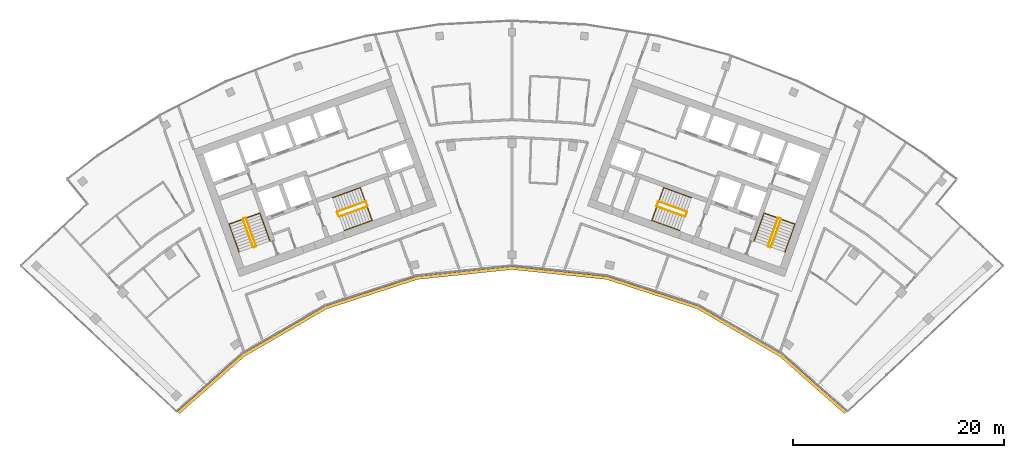
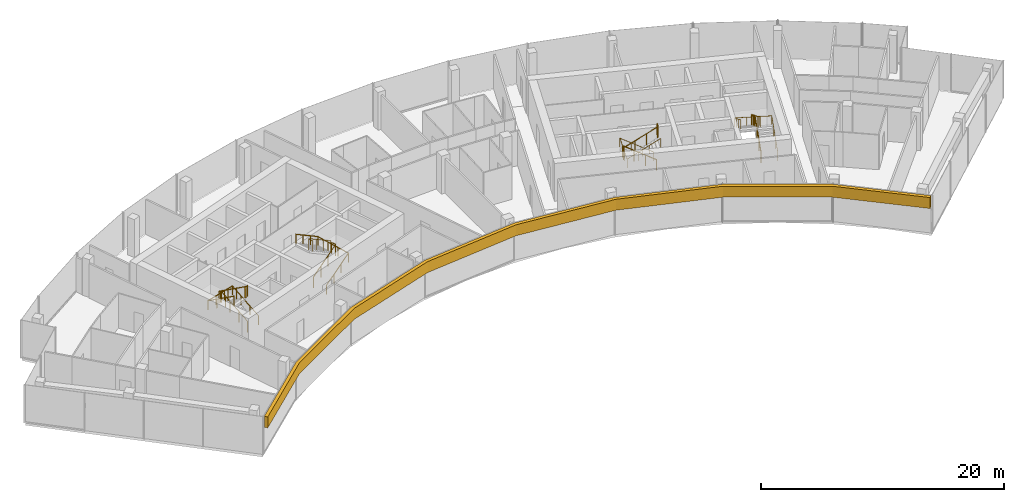
# One storey, part 18 of 18: 12 railings, 1 covering.
"""IFC4 building model written with IfcOpenShell, lengths in metres."""

from ifc_helpers import new_model, si_unit, direction, frame, origin, origin_2d, place, context, subcontext, project, spatial, polyline, circle, outline, extrude, material, layer, layer_set, type_object, element, save


model = new_model("IFC4")

# Units and contexts
model_context = context("Model", 3, precision=1e-05, world=origin(), true_north=direction((0.0, 1.0)))
body_context = subcontext(model_context, "Body", "Model", "MODEL_VIEW")
ifc_project = project(units=[si_unit("LENGTHUNIT", "METRE"), si_unit("AREAUNIT", "SQUARE_METRE"), si_unit("VOLUMEUNIT", "CUBIC_METRE"), si_unit("PLANEANGLEUNIT", "RADIAN"), si_unit("MASSUNIT", "GRAM", prefix="KILO")], contexts=[model_context])

# Site, building, storey
site_placement = place(None, origin())
site = spatial("IfcSite", under=ifc_project, at=site_placement, CompositionType="ELEMENT")
building_placement = place(site_placement, origin())
building = spatial("IfcBuilding", under=site, at=building_placement, Name="Stone Belt Terrace Tower", CompositionType="ELEMENT")
storey_placement = place(building_placement, frame((0.0, 0.0, 273.199951171875)))
storey = spatial("IfcBuildingStorey", under=building, at=storey_placement, Name="L66", CompositionType="ELEMENT", Elevation=273.199951171875)

# Railings
ifc_material_1 = material(Name="Structural steel C345", Category="steel")
railing_type_1 = type_object("IfcRailingType", Name="Stair guard 1100", PredefinedType="GUARDRAIL", material=ifc_material_1)
railing_1_placement = place(storey_placement, frame((-24.2119140625, 45.276123046875, 0.1728515625)))
element("IfcRailing", 1, at=railing_1_placement, inside=storey, type_object=railing_type_1, Name="L66 ST1A stair guard 1", PredefinedType="GUARDRAIL", context=body_context, shape_type="SweptSolid", body=[
    extrude(circle(Radius=0.02392578125, at=origin_2d()), frame((0.0, 0.0, 1.076171875), z_axis=(-0.288228637646, 0.800791768495, 0.525030280985), x_axis=(-0.940908529223, -0.338660803216, 0.0)), (0.0, 0.0, 1.0), 3.289794921875),
    extrude(circle(Radius=0.02392578125, at=origin_2d()), frame((-0.9482421875, 2.634521484375, 2.80322265625), z_axis=(-0.905209821074, 0.424964916, 0.0), x_axis=(-0.424964916, -0.905209821074, 0.0)), (0.0, 0.0, 1.0), 0.070556640625),
    extrude(circle(Radius=0.02392578125, at=origin_2d()), frame((-1.01220703125, 2.66455078125, 2.80322265625), z_axis=(-0.941105063269, -0.338114270461, 0.0), x_axis=(0.338114270461, -0.941105063269, 0.0)), (0.0, 0.0, 1.0), 0.199951171875),
    extrude(circle(Radius=0.02099609375, at=origin_2d()), origin(), (0.0, 0.0, 1.0), 1.052001953125),
    extrude(circle(Radius=0.02099609375, at=origin_2d()), frame((-0.316162109375, 0.878173828125, 0.57568359375)), (0.0, 0.0, 1.0), 1.052001953125),
    extrude(circle(Radius=0.02099609375, at=origin_2d()), frame((-0.632080078125, 1.75634765625, 1.151611328125)), (0.0, 0.0, 1.0), 1.052001953125),
    extrude(circle(Radius=0.02099609375, at=origin_2d()), frame((-0.9482421875, 2.634521484375, 1.727294921875)), (0.0, 0.0, 1.0), 1.052001953125),
    extrude(circle(Radius=0.02099609375, at=origin_2d()), frame((-1.01220703125, 2.66455078125, 1.727294921875)), (0.0, 0.0, 1.0), 1.052001953125),
    extrude(circle(Radius=0.02099609375, at=origin_2d()), frame((-1.200439453125, 2.596923828125, 1.727294921875)), (0.0, 0.0, 1.0), 1.052001953125),
])
railing_2_placement = place(storey_placement, frame((-25.4423828125, 47.80908203125, 2.07275390625)))
element("IfcRailing", 2, at=railing_2_placement, inside=storey, type_object=railing_type_1, Name="L66 ST1A stair guard 2", PredefinedType="GUARDRAIL", context=body_context, shape_type="SweptSolid", body=[
    extrude(circle(Radius=0.02392578125, at=origin_2d()), frame((0.0, 0.0, 1.076171875), z_axis=(0.288228637646, -0.800791768495, 0.525030280985), x_axis=(0.940908529223, 0.338660803216, 0.0)), (0.0, 0.0, 1.0), 3.289794921875),
    extrude(circle(Radius=0.02392578125, at=origin_2d()), frame((0.9482421875, -2.634521484375, 2.80322265625), z_axis=(0.903878284585, -0.427789722475, 0.0), x_axis=(0.427789722475, 0.903878284585, 0.0)), (0.0, 0.0, 1.0), 0.07080078125),
    extrude(circle(Radius=0.02392578125, at=origin_2d()), frame((1.01220703125, -2.664794921875, 2.80322265625), z_axis=(0.940575576748, 0.339584429008, 0.0), x_axis=(-0.339584429008, 0.940575576748, 0.0)), (0.0, 0.0, 1.0), 0.199951171875),
    extrude(circle(Radius=0.02099609375, at=origin_2d()), origin(), (0.0, 0.0, 1.0), 1.052001953125),
    extrude(circle(Radius=0.02099609375, at=origin_2d()), frame((0.316162109375, -0.878173828125, 0.57568359375)), (0.0, 0.0, 1.0), 1.052001953125),
    extrude(circle(Radius=0.02099609375, at=origin_2d()), frame((0.632080078125, -1.75634765625, 1.151611328125)), (0.0, 0.0, 1.0), 1.052001953125),
    extrude(circle(Radius=0.02099609375, at=origin_2d()), frame((0.9482421875, -2.634521484375, 1.727294921875)), (0.0, 0.0, 1.0), 1.052001953125),
    extrude(circle(Radius=0.02099609375, at=origin_2d()), frame((1.01220703125, -2.664794921875, 1.727294921875)), (0.0, 0.0, 1.0), 1.052001953125),
    extrude(circle(Radius=0.02099609375, at=origin_2d()), frame((1.2001953125, -2.596923828125, 1.727294921875)), (0.0, 0.0, 1.0), 1.052001953125),
])
railing_3_placement = place(storey_placement, frame((-16.33837890625, 48.056640625, 0.1728515625)))
element("IfcRailing", 3, at=railing_3_placement, inside=storey, type_object=railing_type_1, Name="L66 ST2A stair guard 1", PredefinedType="GUARDRAIL", context=body_context, shape_type="SweptSolid", body=[
    extrude(circle(Radius=0.02392578125, at=origin_2d()), frame((0.0, 0.0, 1.076171875), z_axis=(0.800808895155, 0.288160591223, 0.52504150989), x_axis=(-0.338583606334, 0.940936311087, 0.0)), (0.0, 0.0, 1.0), 3.289794921875),
    extrude(circle(Radius=0.02392578125, at=origin_2d()), frame((2.634521484375, 0.947998046875, 2.80322265625), z_axis=(0.427789722475, 0.903878284585, 0.0), x_axis=(-0.903878284585, 0.427789722475, 0.0)), (0.0, 0.0, 1.0), 0.07080078125),
    extrude(circle(Radius=0.02392578125, at=origin_2d()), frame((2.664794921875, 1.011962890625, 2.80322265625), z_axis=(-0.338654645739, 0.940910745459, 0.0), x_axis=(-0.940910745459, -0.338654645739, 0.0)), (0.0, 0.0, 1.0), 0.400146484375),
    extrude(circle(Radius=0.02099609375, at=origin_2d()), origin(), (0.0, 0.0, 1.0), 1.052001953125),
    extrude(circle(Radius=0.02099609375, at=origin_2d()), frame((0.878173828125, 0.31591796875, 0.57568359375)), (0.0, 0.0, 1.0), 1.052001953125),
    extrude(circle(Radius=0.02099609375, at=origin_2d()), frame((1.75634765625, 0.632080078125, 1.151611328125)), (0.0, 0.0, 1.0), 1.052001953125),
    extrude(circle(Radius=0.02099609375, at=origin_2d()), frame((2.634521484375, 0.947998046875, 1.727294921875)), (0.0, 0.0, 1.0), 1.052001953125),
    extrude(circle(Radius=0.02099609375, at=origin_2d()), frame((2.664794921875, 1.011962890625, 1.727294921875)), (0.0, 0.0, 1.0), 1.052001953125),
    extrude(circle(Radius=0.02099609375, at=origin_2d()), frame((2.529296875, 1.388427734375, 1.727294921875)), (0.0, 0.0, 1.0), 1.052001953125),
])
railing_4_placement = place(storey_placement, frame((-13.873046875, 49.47509765625, 2.07275390625)))
element("IfcRailing", 4, at=railing_4_placement, inside=storey, type_object=railing_type_1, Name="L66 ST2A stair guard 2", PredefinedType="GUARDRAIL", context=body_context, shape_type="SweptSolid", body=[
    extrude(circle(Radius=0.02392578125, at=origin_2d()), frame((0.0, 0.0, 1.076171875), z_axis=(-0.800808895155, -0.288160591223, 0.52504150989), x_axis=(0.338583606334, -0.940936311087, 0.0)), (0.0, 0.0, 1.0), 3.289794921875),
    extrude(circle(Radius=0.02392578125, at=origin_2d()), frame((-2.634521484375, -0.947998046875, 2.80322265625), z_axis=(-0.427789722475, -0.903878284585, 0.0), x_axis=(0.903878284585, -0.427789722475, 0.0)), (0.0, 0.0, 1.0), 0.07080078125),
    extrude(circle(Radius=0.02392578125, at=origin_2d()), frame((-2.664794921875, -1.011962890625, 2.80322265625), z_axis=(0.338654645739, -0.940910745459, 0.0), x_axis=(0.940910745459, 0.338654645739, 0.0)), (0.0, 0.0, 1.0), 0.400146484375),
    extrude(circle(Radius=0.02099609375, at=origin_2d()), origin(), (0.0, 0.0, 1.0), 1.052001953125),
    extrude(circle(Radius=0.02099609375, at=origin_2d()), frame((-0.878173828125, -0.31591796875, 0.57568359375)), (0.0, 0.0, 1.0), 1.052001953125),
    extrude(circle(Radius=0.02099609375, at=origin_2d()), frame((-1.75634765625, -0.632080078125, 1.151611328125)), (0.0, 0.0, 1.0), 1.052001953125),
    extrude(circle(Radius=0.02099609375, at=origin_2d()), frame((-2.634521484375, -0.947998046875, 1.727294921875)), (0.0, 0.0, 1.0), 1.052001953125),
    extrude(circle(Radius=0.02099609375, at=origin_2d()), frame((-2.664794921875, -1.011962890625, 1.727294921875)), (0.0, 0.0, 1.0), 1.052001953125),
    extrude(circle(Radius=0.02099609375, at=origin_2d()), frame((-2.529296875, -1.388427734375, 1.727294921875)), (0.0, 0.0, 1.0), 1.052001953125),
])
railing_5_placement = place(storey_placement, frame((24.494140625, 45.174560546875, 0.1728515625)))
element("IfcRailing", 5, at=railing_5_placement, inside=storey, type_object=railing_type_1, Name="L66 ST1B stair guard 1", PredefinedType="GUARDRAIL", context=body_context, shape_type="SweptSolid", body=[
    extrude(circle(Radius=0.02392578125, at=origin_2d()), frame((0.0, 0.0, 1.076171875), z_axis=(0.288228637646, 0.800791768495, 0.525030280985), x_axis=(-0.940908529223, 0.338660803216, 0.0)), (0.0, 0.0, 1.0), 3.289794921875),
    extrude(circle(Radius=0.02392578125, at=origin_2d()), frame((0.9482421875, 2.634521484375, 2.80322265625), z_axis=(-0.424964916, 0.905209821074, 0.0), x_axis=(-0.905209821074, -0.424964916, 0.0)), (0.0, 0.0, 1.0), 0.070556640625),
    extrude(circle(Radius=0.02392578125, at=origin_2d()), frame((0.918212890625, 2.698486328125, 2.80322265625), z_axis=(-0.941105063269, 0.338114270461, 0.0), x_axis=(-0.338114270461, -0.941105063269, 0.0)), (0.0, 0.0, 1.0), 0.199951171875),
    extrude(circle(Radius=0.02099609375, at=origin_2d()), origin(), (0.0, 0.0, 1.0), 1.052001953125),
    extrude(circle(Radius=0.02099609375, at=origin_2d()), frame((0.316162109375, 0.878173828125, 0.57568359375)), (0.0, 0.0, 1.0), 1.052001953125),
    extrude(circle(Radius=0.02099609375, at=origin_2d()), frame((0.632080078125, 1.75634765625, 1.151611328125)), (0.0, 0.0, 1.0), 1.052001953125),
    extrude(circle(Radius=0.02099609375, at=origin_2d()), frame((0.9482421875, 2.634521484375, 1.727294921875)), (0.0, 0.0, 1.0), 1.052001953125),
    extrude(circle(Radius=0.02099609375, at=origin_2d()), frame((0.918212890625, 2.698486328125, 1.727294921875)), (0.0, 0.0, 1.0), 1.052001953125),
    extrude(circle(Radius=0.02099609375, at=origin_2d()), frame((0.72998046875, 2.76611328125, 1.727294921875)), (0.0, 0.0, 1.0), 1.052001953125),
])
railing_6_placement = place(storey_placement, frame((25.16015625, 47.91064453125, 2.07275390625)))
element("IfcRailing", 6, at=railing_6_placement, inside=storey, type_object=railing_type_1, Name="L66 ST1B stair guard 2", PredefinedType="GUARDRAIL", context=body_context, shape_type="SweptSolid", body=[
    extrude(circle(Radius=0.02392578125, at=origin_2d()), frame((0.0, 0.0, 1.076171875), z_axis=(-0.288228637646, -0.800791768495, 0.525030280985), x_axis=(0.940908529223, -0.338660803216, 0.0)), (0.0, 0.0, 1.0), 3.289794921875),
    extrude(circle(Radius=0.02392578125, at=origin_2d()), frame((-0.9482421875, -2.634521484375, 2.80322265625), z_axis=(0.427789722475, -0.903878284585, 0.0), x_axis=(0.903878284585, 0.427789722475, 0.0)), (0.0, 0.0, 1.0), 0.07080078125),
    extrude(circle(Radius=0.02392578125, at=origin_2d()), frame((-0.91796875, -2.698486328125, 2.80322265625), z_axis=(0.940575576748, -0.339584429008, 0.0), x_axis=(0.339584429008, 0.940575576748, 0.0)), (0.0, 0.0, 1.0), 0.199951171875),
    extrude(circle(Radius=0.02099609375, at=origin_2d()), origin(), (0.0, 0.0, 1.0), 1.052001953125),
    extrude(circle(Radius=0.02099609375, at=origin_2d()), frame((-0.316162109375, -0.878173828125, 0.57568359375)), (0.0, 0.0, 1.0), 1.052001953125),
    extrude(circle(Radius=0.02099609375, at=origin_2d()), frame((-0.632080078125, -1.75634765625, 1.151611328125)), (0.0, 0.0, 1.0), 1.052001953125),
    extrude(circle(Radius=0.02099609375, at=origin_2d()), frame((-0.9482421875, -2.634521484375, 1.727294921875)), (0.0, 0.0, 1.0), 1.052001953125),
    extrude(circle(Radius=0.02099609375, at=origin_2d()), frame((-0.91796875, -2.698486328125, 1.727294921875)), (0.0, 0.0, 1.0), 1.052001953125),
    extrude(circle(Radius=0.02099609375, at=origin_2d()), frame((-0.72998046875, -2.766357421875, 1.727294921875)), (0.0, 0.0, 1.0), 1.052001953125),
])
railing_7_placement = place(storey_placement, frame((16.507568359375, 48.527099609375, 0.1728515625)))
element("IfcRailing", 7, at=railing_7_placement, inside=storey, type_object=railing_type_1, Name="L66 ST2B stair guard 1", PredefinedType="GUARDRAIL", context=body_context, shape_type="SweptSolid", body=[
    extrude(circle(Radius=0.02392578125, at=origin_2d()), frame((0.0, 0.0, 1.076171875), z_axis=(-0.800808895155, 0.288160591223, 0.52504150989), x_axis=(-0.338583606334, -0.940936311087, 0.0)), (0.0, 0.0, 1.0), 3.289794921875),
    extrude(circle(Radius=0.02392578125, at=origin_2d()), frame((-2.634521484375, 0.947998046875, 2.80322265625), z_axis=(-0.905209821074, -0.424964916, 0.0), x_axis=(0.424964916, -0.905209821074, 0.0)), (0.0, 0.0, 1.0), 0.070556640625),
    extrude(circle(Radius=0.02392578125, at=origin_2d()), frame((-2.698486328125, 0.91796875, 2.80322265625), z_axis=(-0.338654645739, -0.940910745459, 0.0), x_axis=(0.940910745459, -0.338654645739, 0.0)), (0.0, 0.0, 1.0), 0.400146484375),
    extrude(circle(Radius=0.02099609375, at=origin_2d()), origin(), (0.0, 0.0, 1.0), 1.052001953125),
    extrude(circle(Radius=0.02099609375, at=origin_2d()), frame((-0.878173828125, 0.31591796875, 0.57568359375)), (0.0, 0.0, 1.0), 1.052001953125),
    extrude(circle(Radius=0.02099609375, at=origin_2d()), frame((-1.75634765625, 0.632080078125, 1.151611328125)), (0.0, 0.0, 1.0), 1.052001953125),
    extrude(circle(Radius=0.02099609375, at=origin_2d()), frame((-2.634521484375, 0.947998046875, 1.727294921875)), (0.0, 0.0, 1.0), 1.052001953125),
    extrude(circle(Radius=0.02099609375, at=origin_2d()), frame((-2.698486328125, 0.91796875, 1.727294921875)), (0.0, 0.0, 1.0), 1.052001953125),
    extrude(circle(Radius=0.02099609375, at=origin_2d()), frame((-2.833984375, 0.54150390625, 1.727294921875)), (0.0, 0.0, 1.0), 1.052001953125),
])
railing_8_placement = place(storey_placement, frame((13.703857421875, 49.004638671875, 2.07275390625)))
element("IfcRailing", 8, at=railing_8_placement, inside=storey, type_object=railing_type_1, Name="L66 ST2B stair guard 2", PredefinedType="GUARDRAIL", context=body_context, shape_type="SweptSolid", body=[
    extrude(circle(Radius=0.02392578125, at=origin_2d()), frame((0.0, 0.0, 1.076171875), z_axis=(0.800808895155, -0.288160591223, 0.52504150989), x_axis=(0.338583606334, 0.940936311087, 0.0)), (0.0, 0.0, 1.0), 3.289794921875),
    extrude(circle(Radius=0.02392578125, at=origin_2d()), frame((2.634521484375, -0.947998046875, 2.80322265625), z_axis=(0.905209821074, 0.424964916, 0.0), x_axis=(-0.424964916, 0.905209821074, 0.0)), (0.0, 0.0, 1.0), 0.070556640625),
    extrude(circle(Radius=0.02392578125, at=origin_2d()), frame((2.698486328125, -0.91796875, 2.80322265625), z_axis=(0.338654645739, 0.940910745459, 0.0), x_axis=(-0.940910745459, 0.338654645739, 0.0)), (0.0, 0.0, 1.0), 0.400146484375),
    extrude(circle(Radius=0.02099609375, at=origin_2d()), origin(), (0.0, 0.0, 1.0), 1.052001953125),
    extrude(circle(Radius=0.02099609375, at=origin_2d()), frame((0.878173828125, -0.31591796875, 0.57568359375)), (0.0, 0.0, 1.0), 1.052001953125),
    extrude(circle(Radius=0.02099609375, at=origin_2d()), frame((1.75634765625, -0.632080078125, 1.151611328125)), (0.0, 0.0, 1.0), 1.052001953125),
    extrude(circle(Radius=0.02099609375, at=origin_2d()), frame((2.634521484375, -0.947998046875, 1.727294921875)), (0.0, 0.0, 1.0), 1.052001953125),
    extrude(circle(Radius=0.02099609375, at=origin_2d()), frame((2.698486328125, -0.91796875, 1.727294921875)), (0.0, 0.0, 1.0), 1.052001953125),
    extrude(circle(Radius=0.02099609375, at=origin_2d()), frame((2.833984375, -0.54150390625, 1.727294921875)), (0.0, 0.0, 1.0), 1.052001953125),
])
railing_type_2 = type_object("IfcRailingType", Name="Stair handrail 900", PredefinedType="HANDRAIL", material=ifc_material_1)
railing_9_placement = place(storey_placement, frame((-22.894775390625, 45.750244140625, 0.1728515625)))
element("IfcRailing", 9, at=railing_9_placement, inside=storey, type_object=railing_type_2, Name="L66 ST1A stair handrail 1", PredefinedType="HANDRAIL", context=body_context, shape_type="SweptSolid", body=[
    extrude(circle(Radius=0.02392578125, at=origin_2d()), frame((0.0, 0.0, 0.8759765625), z_axis=(-0.288160591223, 0.800808895155, 0.52504150989), x_axis=(-0.940936311087, -0.338583606334, 0.0)), (0.0, 0.0, 1.0), 3.289794921875),
    extrude(circle(Radius=0.02392578125, at=origin_2d()), frame((-0.947998046875, 2.634521484375, 2.60302734375), z_axis=(-0.939464517435, -0.338106580597, 0.055591012205), x_axis=(0.338630230244, -0.940919532779, 0.0)), (0.0, 0.0, 1.0), 3.10498046875),
    extrude(circle(Radius=0.02392578125, at=origin_2d()), frame((-3.864990234375, 1.584716796875, 2.77587890625), z_axis=(0.288228637646, -0.800791768495, 0.525030280985), x_axis=(0.940908529223, 0.338660803216, 0.0)), (0.0, 0.0, 1.0), 3.289794921875),
    extrude(circle(Radius=0.02099609375, at=origin_2d()), origin(), (0.0, 0.0, 1.0), 0.851806640625),
    extrude(circle(Radius=0.02099609375, at=origin_2d()), frame((-0.31591796875, 0.878173828125, 0.57568359375)), (0.0, 0.0, 1.0), 0.851806640625),
    extrude(circle(Radius=0.02099609375, at=origin_2d()), frame((-0.632080078125, 1.75634765625, 1.151611328125)), (0.0, 0.0, 1.0), 0.851806640625),
    extrude(circle(Radius=0.02099609375, at=origin_2d()), frame((-0.947998046875, 2.634521484375, 1.727294921875)), (0.0, 0.0, 1.0), 0.851806640625),
    extrude(circle(Radius=0.02099609375, at=origin_2d()), frame((-1.92041015625, 2.28466796875, 1.784912109375)), (0.0, 0.0, 1.0), 0.851806640625),
    extrude(circle(Radius=0.02099609375, at=origin_2d()), frame((-2.892578125, 1.9345703125, 1.84228515625)), (0.0, 0.0, 1.0), 0.851806640625),
    extrude(circle(Radius=0.02099609375, at=origin_2d()), frame((-3.864990234375, 1.584716796875, 1.89990234375)), (0.0, 0.0, 1.0), 0.851806640625),
    extrude(circle(Radius=0.02099609375, at=origin_2d()), frame((-3.548828125, 0.70654296875, 2.4755859375)), (0.0, 0.0, 1.0), 0.851806640625),
    extrude(circle(Radius=0.02099609375, at=origin_2d()), frame((-3.23291015625, -0.171630859375, 3.051513671875)), (0.0, 0.0, 1.0), 0.851806640625),
    extrude(circle(Radius=0.02099609375, at=origin_2d()), frame((-2.916748046875, -1.0498046875, 3.627197265625)), (0.0, 0.0, 1.0), 0.851806640625),
])
railing_10_placement = place(storey_placement, frame((-15.8642578125, 46.7392578125, 0.1728515625)))
element("IfcRailing", 10, at=railing_10_placement, inside=storey, type_object=railing_type_2, Name="L66 ST2A stair handrail 1", PredefinedType="HANDRAIL", context=body_context, shape_type="SweptSolid", body=[
    extrude(circle(Radius=0.02392578125, at=origin_2d()), frame((0.0, 0.0, 0.8759765625), z_axis=(0.800791768495, 0.288228637646, 0.525030280985), x_axis=(-0.338660803216, 0.940908529223, 0.0)), (0.0, 0.0, 1.0), 3.289794921875),
    extrude(circle(Radius=0.02392578125, at=origin_2d()), frame((2.634521484375, 0.9482421875, 2.60302734375), z_axis=(-0.338160254016, 0.939637778147, 0.052234935458), x_axis=(-0.940922302781, -0.338622533404, 0.0)), (0.0, 0.0, 1.0), 3.304443359375),
    extrude(circle(Radius=0.02392578125, at=origin_2d()), frame((1.51708984375, 4.05322265625, 2.77587890625), z_axis=(-0.800791768495, -0.288228637646, 0.525030280985), x_axis=(0.338660803216, -0.940908529223, 0.0)), (0.0, 0.0, 1.0), 3.289794921875),
    extrude(circle(Radius=0.02099609375, at=origin_2d()), origin(), (0.0, 0.0, 1.0), 0.851806640625),
    extrude(circle(Radius=0.02099609375, at=origin_2d()), frame((0.878173828125, 0.316162109375, 0.57568359375)), (0.0, 0.0, 1.0), 0.851806640625),
    extrude(circle(Radius=0.02099609375, at=origin_2d()), frame((1.75634765625, 0.632080078125, 1.151611328125)), (0.0, 0.0, 1.0), 0.851806640625),
    extrude(circle(Radius=0.02099609375, at=origin_2d()), frame((2.634521484375, 0.9482421875, 1.727294921875)), (0.0, 0.0, 1.0), 0.851806640625),
    extrude(circle(Radius=0.02099609375, at=origin_2d()), frame((2.261962890625, 1.983154296875, 1.784912109375)), (0.0, 0.0, 1.0), 0.851806640625),
    extrude(circle(Radius=0.02099609375, at=origin_2d()), frame((1.8896484375, 3.018310546875, 1.84228515625)), (0.0, 0.0, 1.0), 0.851806640625),
    extrude(circle(Radius=0.02099609375, at=origin_2d()), frame((1.51708984375, 4.05322265625, 1.89990234375)), (0.0, 0.0, 1.0), 0.851806640625),
    extrude(circle(Radius=0.02099609375, at=origin_2d()), frame((0.638916015625, 3.737060546875, 2.4755859375)), (0.0, 0.0, 1.0), 0.851806640625),
    extrude(circle(Radius=0.02099609375, at=origin_2d()), frame((-0.2392578125, 3.421142578125, 3.051513671875)), (0.0, 0.0, 1.0), 0.851806640625),
    extrude(circle(Radius=0.02099609375, at=origin_2d()), frame((-1.117431640625, 3.10498046875, 3.627197265625)), (0.0, 0.0, 1.0), 0.851806640625),
])
railing_11_placement = place(storey_placement, frame((25.8115234375, 44.700439453125, 0.1728515625)))
element("IfcRailing", 11, at=railing_11_placement, inside=storey, type_object=railing_type_2, Name="L66 ST1B stair handrail 1", PredefinedType="HANDRAIL", context=body_context, shape_type="SweptSolid", body=[
    extrude(circle(Radius=0.02392578125, at=origin_2d()), frame((0.0, 0.0, 0.8759765625), z_axis=(0.288228637646, 0.800791768495, 0.525030280985), x_axis=(-0.940908529223, 0.338660803216, 0.0)), (0.0, 0.0, 1.0), 3.289794921875),
    extrude(circle(Radius=0.02392578125, at=origin_2d()), frame((0.9482421875, 2.634521484375, 2.60302734375), z_axis=(-0.939464517435, 0.338106580597, 0.055591012205), x_axis=(-0.338630230244, -0.940919532779, 0.0)), (0.0, 0.0, 1.0), 3.10498046875),
    extrude(circle(Radius=0.02392578125, at=origin_2d()), frame((-1.96875, 3.684326171875, 2.77587890625), z_axis=(-0.288160591223, -0.800808895155, 0.52504150989), x_axis=(0.940936311087, -0.338583606334, 0.0)), (0.0, 0.0, 1.0), 3.289794921875),
    extrude(circle(Radius=0.02099609375, at=origin_2d()), origin(), (0.0, 0.0, 1.0), 0.851806640625),
    extrude(circle(Radius=0.02099609375, at=origin_2d()), frame((0.316162109375, 0.878173828125, 0.57568359375)), (0.0, 0.0, 1.0), 0.851806640625),
    extrude(circle(Radius=0.02099609375, at=origin_2d()), frame((0.632080078125, 1.75634765625, 1.151611328125)), (0.0, 0.0, 1.0), 0.851806640625),
    extrude(circle(Radius=0.02099609375, at=origin_2d()), frame((0.9482421875, 2.634521484375, 1.727294921875)), (0.0, 0.0, 1.0), 0.851806640625),
    extrude(circle(Radius=0.02099609375, at=origin_2d()), frame((-0.024169921875, 2.984375, 1.784912109375)), (0.0, 0.0, 1.0), 0.851806640625),
    extrude(circle(Radius=0.02099609375, at=origin_2d()), frame((-0.996337890625, 3.33447265625, 1.84228515625)), (0.0, 0.0, 1.0), 0.851806640625),
    extrude(circle(Radius=0.02099609375, at=origin_2d()), frame((-1.96875, 3.684326171875, 1.89990234375)), (0.0, 0.0, 1.0), 0.851806640625),
    extrude(circle(Radius=0.02099609375, at=origin_2d()), frame((-2.28466796875, 2.80615234375, 2.4755859375)), (0.0, 0.0, 1.0), 0.851806640625),
    extrude(circle(Radius=0.02099609375, at=origin_2d()), frame((-2.600830078125, 1.927978515625, 3.051513671875)), (0.0, 0.0, 1.0), 0.851806640625),
    extrude(circle(Radius=0.02099609375, at=origin_2d()), frame((-2.916748046875, 1.0498046875, 3.627197265625)), (0.0, 0.0, 1.0), 0.851806640625),
])
railing_12_placement = place(storey_placement, frame((16.981689453125, 49.84423828125, 0.1728515625)))
element("IfcRailing", 12, at=railing_12_placement, inside=storey, type_object=railing_type_2, Name="L66 ST2B stair handrail 1", PredefinedType="HANDRAIL", context=body_context, shape_type="SweptSolid", body=[
    extrude(circle(Radius=0.02392578125, at=origin_2d()), frame((0.0, 0.0, 0.8759765625), z_axis=(-0.800791768495, 0.288228637646, 0.525030280985), x_axis=(-0.338660803216, -0.940908529223, 0.0)), (0.0, 0.0, 1.0), 3.289794921875),
    extrude(circle(Radius=0.02392578125, at=origin_2d()), frame((-2.634521484375, 0.9482421875, 2.60302734375), z_axis=(-0.338160254016, -0.939637778147, 0.052234935458), x_axis=(0.940922302781, -0.338622533404, 0.0)), (0.0, 0.0, 1.0), 3.304443359375),
    extrude(circle(Radius=0.02392578125, at=origin_2d()), frame((-3.751953125, -2.15673828125, 2.77587890625), z_axis=(0.800791768495, -0.288228637646, 0.525030280985), x_axis=(0.338660803216, 0.940908529223, 0.0)), (0.0, 0.0, 1.0), 3.289794921875),
    extrude(circle(Radius=0.02099609375, at=origin_2d()), origin(), (0.0, 0.0, 1.0), 0.851806640625),
    extrude(circle(Radius=0.02099609375, at=origin_2d()), frame((-0.878173828125, 0.316162109375, 0.57568359375)), (0.0, 0.0, 1.0), 0.851806640625),
    extrude(circle(Radius=0.02099609375, at=origin_2d()), frame((-1.75634765625, 0.632080078125, 1.151611328125)), (0.0, 0.0, 1.0), 0.851806640625),
    extrude(circle(Radius=0.02099609375, at=origin_2d()), frame((-2.634521484375, 0.9482421875, 1.727294921875)), (0.0, 0.0, 1.0), 0.851806640625),
    extrude(circle(Radius=0.02099609375, at=origin_2d()), frame((-3.007080078125, -0.086669921875, 1.784912109375)), (0.0, 0.0, 1.0), 0.851806640625),
    extrude(circle(Radius=0.02099609375, at=origin_2d()), frame((-3.37939453125, -1.121826171875, 1.84228515625)), (0.0, 0.0, 1.0), 0.851806640625),
    extrude(circle(Radius=0.02099609375, at=origin_2d()), frame((-3.751953125, -2.15673828125, 1.89990234375)), (0.0, 0.0, 1.0), 0.851806640625),
    extrude(circle(Radius=0.02099609375, at=origin_2d()), frame((-2.873779296875, -2.472900390625, 2.4755859375)), (0.0, 0.0, 1.0), 0.851806640625),
    extrude(circle(Radius=0.02099609375, at=origin_2d()), frame((-1.99560546875, -2.788818359375, 3.051513671875)), (0.0, 0.0, 1.0), 0.851806640625),
    extrude(circle(Radius=0.02099609375, at=origin_2d()), frame((-1.117431640625, -3.10498046875, 3.627197265625)), (0.0, 0.0, 1.0), 0.851806640625),
])

# Covering
ifc_material_2 = material(Name="Terracotta coloured glazed ceramic", Category="masonry")
ifc_layer = layer(ifc_material_2, 0.300048828125)
ifc_layer_set = layer_set([ifc_layer], Name="Terracotta spandrel band 300 x 1100")
covering_type = type_object("IfcCoveringType", Name="Terracotta spandrel band 300 x 1100", PredefinedType="CLADDING", material=ifc_layer_set)
covering_placement = place(storey_placement, frame((0.0, 0.0, 2.699951171875)))
element("IfcCovering", 13, at=covering_placement, inside=storey, type_object=covering_type, Name="BAND L66", PredefinedType="CLADDING", context=body_context, shape_type="SweptSolid", body=[
    extrude(outline(polyline([(-31.651611328125, 29.6220703125), (-25.480712890625, 35.06982421875), (-17.631591796875, 39.6015625), (-9.0126953125, 42.40185546875), (0.0, 43.34912109375), (9.0126953125, 42.40185546875), (17.631591796875, 39.6015625), (25.480712890625, 35.06982421875), (31.651611328125, 29.6220703125), (31.453125, 29.39697265625), (25.3046875, 34.824951171875), (17.509033203125, 39.325927734375), (8.9501953125, 42.10693359375), (0.0, 43.047607421875), (-8.9501953125, 42.10693359375), (-17.509033203125, 39.325927734375), (-25.3046875, 34.824951171875), (-31.453125, 29.39697265625), (-31.651611328125, 29.6220703125)])), origin(), (0.0, 0.0, 1.0), 1.10009765625),
])

save(model, "model.ifc")
